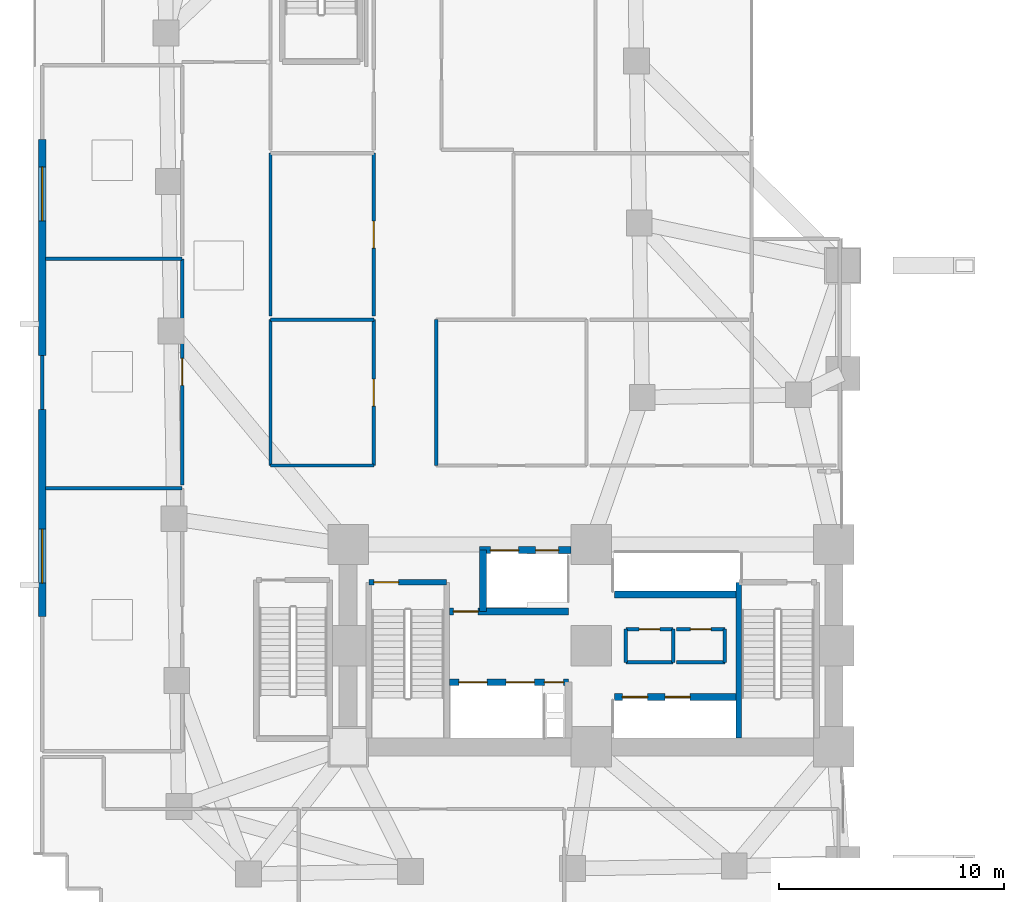
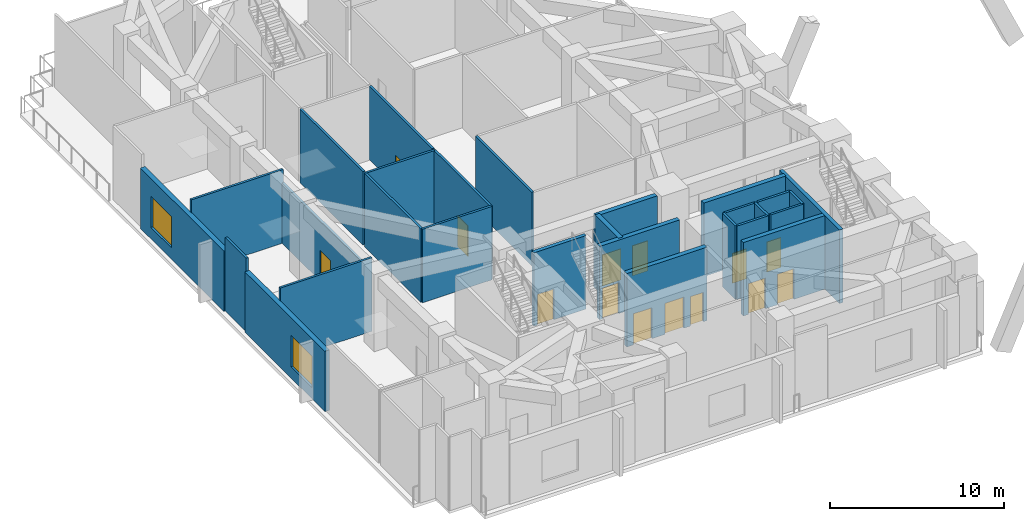
# One storey, part 8 of 18: 28 walls, 14 doors, 2 windows, 16 openings.
"""IFC4 building model written with IfcOpenShell, lengths in metres."""

import ifcopenshell
import ifcopenshell.guid

model = None  # the IFC model being written
_history = None  # IfcOwnerHistory: only IFC2X3 demands one
_inside = {}  # id of a spatial element -> (the spatial element, [elements in it])
_under = {}  # id of a project, library or spatial element -> (it, [spatial elements below it])
_declared = {}  # id of a project -> (the project, [libraries it declares])
_typed = {}  # id of a type object -> (the type object, [elements of that type])
_made_of = {}  # id of a material, layer set ... -> (it, [elements and type objects made of it])


def new_model(schema):
    """Start an empty IFC model of exactly this schema.

    Asked for "IFC4X3", IfcOpenShell would pick the latest addendum, in which some entities
    have other attributes; the version numbers below select the first issue.
    IFC2X3 requires an IfcOwnerHistory on every rooted entity: one is made here for all.
    """
    global model, _history
    if schema == "IFC4X3":
        model = ifcopenshell.file(schema_version=(4, 3, 0, 0))
    else:
        model = ifcopenshell.file(schema=schema)
    _inside.clear()
    _under.clear()
    _declared.clear()
    _typed.clear()
    _made_of.clear()
    _history = None
    if model.schema == "IFC2X3":
        org = make("IfcOrganization", Name="unknown")
        user = make(
            "IfcPersonAndOrganization",
            ThePerson=make("IfcPerson", FamilyName="unknown"),
            TheOrganization=org,
        )
        app = make(
            "IfcApplication",
            ApplicationDeveloper=org,
            Version="unknown",
            ApplicationFullName="unknown",
            ApplicationIdentifier="unknown",
        )
        _history = make(
            "IfcOwnerHistory",
            OwningUser=user,
            OwningApplication=app,
            ChangeAction="ADDED",
            CreationDate=0,
        )
    return model


def make(cls, **values):
    """One entity of the class cls with the attributes given. An attribute that is None is left unset."""
    return model.create_entity(
        cls, **{name: value for name, value in values.items() if value is not None}
    )


def rooted(cls, **values):
    """An entity with a GlobalId (a new one), such as an element, a storey or a relation."""
    return make(cls, GlobalId=ifcopenshell.guid.new(), OwnerHistory=_history, **values)


def si_unit(unit_type, name, prefix=None):
    """IfcSIUnit, for example si_unit("LENGTHUNIT", "METRE", prefix="MILLI")."""
    return make("IfcSIUnit", UnitType=unit_type, Prefix=prefix, Name=name)


def assignment(units):
    """IfcUnitAssignment: the units of a project."""
    return None if units is None else make("IfcUnitAssignment", Units=units)


def point(xyz):
    """IfcCartesianPoint."""
    return None if xyz is None else make("IfcCartesianPoint", Coordinates=xyz)


def direction(xyz):
    """IfcDirection."""
    return None if xyz is None else make("IfcDirection", DirectionRatios=xyz)


def frame(location, z_axis=None, x_axis=None):
    """IfcAxis2Placement3D, a coordinate frame: its origin and axes. An axis left out is left unset."""
    return make(
        "IfcAxis2Placement3D",
        Location=point(location),
        Axis=direction(z_axis),
        RefDirection=direction(x_axis),
    )


def frame_2d(location, x_axis=None):
    """IfcAxis2Placement2D, a coordinate frame in the plane: its origin and x axis."""
    return make(
        "IfcAxis2Placement2D", Location=point(location), RefDirection=direction(x_axis)
    )


def origin():
    """The frame at (0, 0, 0) with its axes left unset."""
    return frame((0.0, 0.0, 0.0))


def place(relative_to, where):
    """IfcLocalPlacement: puts the frame where relative to a parent placement (None: the world)."""
    return make(
        "IfcLocalPlacement", PlacementRelTo=relative_to, RelativePlacement=where
    )


def context(
    kind, dimensions, precision=None, world=None, true_north=None, identifier=None
):
    """IfcGeometricRepresentationContext, for example the 3D "Model" context."""
    return make(
        "IfcGeometricRepresentationContext",
        ContextIdentifier=identifier,
        ContextType=kind,
        CoordinateSpaceDimension=dimensions,
        Precision=precision,
        WorldCoordinateSystem=world,
        TrueNorth=true_north,
    )


def subcontext(parent, identifier, kind, view, scale=None):
    """IfcGeometricRepresentationSubContext, for example "Body" below "Model"."""
    return make(
        "IfcGeometricRepresentationSubContext",
        ContextIdentifier=identifier,
        ContextType=kind,
        ParentContext=parent,
        TargetScale=scale,
        TargetView=view,
    )


def project(units=None, contexts=None):
    """IfcProject with its units and contexts."""
    return rooted(
        "IfcProject",
        Name="project",
        RepresentationContexts=contexts,
        UnitsInContext=assignment(units),
    )


def spatial(cls, under=None, at=None, **own):
    """A site, building, storey or space (cls), placed at a placement, below another one or the project."""
    s = rooted(cls, ObjectPlacement=at, **own)
    if under is not None:
        _under.setdefault(under.id(), (under, []))[1].append(s)
    return s


def profile(cls, at=None, kind="AREA", **sizes):
    """A parametric profile (cls). Its sizes go by their IFC names, for example OverallWidth=200.0."""
    return make(cls, ProfileType=kind, Position=at, **sizes)


def rectangle(**sizes):
    """IfcRectangleProfileDef."""
    return profile("IfcRectangleProfileDef", **sizes)


def extrude(swept, where, along, depth):
    """IfcExtrudedAreaSolid: the profile swept, set in the frame where, extruded along a direction by depth."""
    return make(
        "IfcExtrudedAreaSolid",
        SweptArea=swept,
        Position=where,
        ExtrudedDirection=direction(along),
        Depth=depth,
    )


def shape(context_of_items, identifier, shape_type, items):
    """IfcShapeRepresentation: the items that make up one representation, for example the "Body"."""
    return make(
        "IfcShapeRepresentation",
        ContextOfItems=context_of_items,
        RepresentationIdentifier=identifier,
        RepresentationType=shape_type,
        Items=items,
    )


def material(Name=None, Category=None):
    """IfcMaterial."""
    return make("IfcMaterial", Name=Name, Category=Category)


def layer(
    of_material, thickness, ventilated=None, Name=None, Category=None, Priority=None
):
    """IfcMaterialLayer: one layer of a wall or slab, of a material (None: an air gap)."""
    return make(
        "IfcMaterialLayer",
        Material=of_material,
        LayerThickness=thickness,
        IsVentilated=ventilated,
        Name=Name,
        Category=Category,
        Priority=Priority,
    )


def layer_set(layers, Name=None):
    """IfcMaterialLayerSet."""
    return make("IfcMaterialLayerSet", MaterialLayers=layers, LayerSetName=Name)


def made_of(thing, what):
    """Note that an element or type object is made of a material, layer set ...; save() writes the relation."""
    if what is not None:
        _made_of.setdefault(what.id(), (what, []))[1].append(thing)
    return thing


def type_object(cls, material=None, **own):
    """A type object (cls), such as IfcWallType, which elements share."""
    return made_of(rooted(cls, **own), material)


def element(
    cls,
    number,
    at=None,
    inside=None,
    cuts=None,
    type_object=None,
    material=None,
    context=None,
    identifier="Body",
    shape_type=None,
    held_by="IfcProductDefinitionShape",
    body=None,
    shapes=None,
    **own,
):
    """One element of the class cls, such as IfcWall. Its Tag is "e" and its number.

    at: its placement. inside: the storey or other place that contains it. cuts: it is an
    opening in that element (IfcRelVoidsElement). A single representation is given by context,
    identifier, shape_type and body (its items); several are given by shapes. held_by: the class
    of the entity that holds the representations. save() writes the other relations.
    """
    e = rooted(cls, Tag="e%d" % number, ObjectPlacement=at, **own)
    if body is not None:
        shapes = [shape(context, identifier, shape_type, body)]
    if shapes is not None:
        e.Representation = make(held_by, Representations=shapes)
    if inside is not None:
        _inside.setdefault(inside.id(), (inside, []))[1].append(e)
    if cuts is not None:
        rooted(
            "IfcRelVoidsElement", RelatingBuildingElement=cuts, RelatedOpeningElement=e
        )
    if type_object is not None:
        _typed.setdefault(type_object.id(), (type_object, []))[1].append(e)
    return made_of(e, material)


def fill(opening, filler):
    """IfcRelFillsElement: the door or window that sits in an opening."""
    return rooted(
        "IfcRelFillsElement",
        RelatingOpeningElement=opening,
        RelatedBuildingElement=filler,
    )


def aggregate(whole, parts):
    """IfcRelAggregates: a whole, such as a stair, and the parts it consists of."""
    return rooted("IfcRelAggregates", RelatingObject=whole, RelatedObjects=parts)


def save(model, path):
    """Write the relations noted so far, then the file.

    IfcRelAggregates (storeys below a building ...), IfcRelContainedInSpatialStructure (elements
    in a storey), IfcRelDefinesByType, IfcRelAssociatesMaterial and IfcRelDeclares: one each for
    every whole, place, type object, material and project.
    """
    for whole, parts in _under.values():
        aggregate(whole, parts)
    for where, things in _inside.values():
        rooted(
            "IfcRelContainedInSpatialStructure",
            RelatedElements=things,
            RelatingStructure=where,
        )
    for kind, things in _typed.values():
        rooted("IfcRelDefinesByType", RelatedObjects=things, RelatingType=kind)
    for what, things in _made_of.values():
        rooted("IfcRelAssociatesMaterial", RelatedObjects=things, RelatingMaterial=what)
    for by, libraries in _declared.values():
        rooted("IfcRelDeclares", RelatingContext=by, RelatedDefinitions=libraries)
    model.write(path)


model = new_model("IFC4")

# Units and contexts
model_context = context("Model", 3, precision=1e-05, world=origin(), true_north=direction((0.0, 1.0)))
body_context = subcontext(model_context, "Body", "Model", "MODEL_VIEW")
ifc_project = project(units=[si_unit("LENGTHUNIT", "METRE"), si_unit("AREAUNIT", "SQUARE_METRE"), si_unit("VOLUMEUNIT", "CUBIC_METRE"), si_unit("PLANEANGLEUNIT", "RADIAN"), si_unit("MASSUNIT", "GRAM", prefix="KILO")], contexts=[model_context])

# Site, building, storey
site_placement = place(None, origin())
site = spatial("IfcSite", under=ifc_project, at=site_placement, CompositionType="ELEMENT")
building_placement = place(site_placement, origin())
building = spatial("IfcBuilding", under=site, at=building_placement, Name="Gaonmaruhae Medical Tower", CompositionType="ELEMENT")
storey_placement = place(building_placement, frame((0.0, 0.0, 16.199951171875)))
storey = spatial("IfcBuildingStorey", under=building, at=storey_placement, Name="L03", CompositionType="ELEMENT", Elevation=16.199951171875)

# Wall, opening, window
ifc_material_1 = material(Name="Precast concrete C45/55", Category="concrete")
ifc_layer_1 = layer(ifc_material_1, 0.320068359375)
ifc_layer_set_1 = layer_set([ifc_layer_1], Name="Precast concrete C45/55")
wall_type_1 = type_object("IfcWallType", Name="EW-320 Lower Precast Masonry-Frame Facade Wall", PredefinedType="SOLIDWALL", material=ifc_layer_set_1)
wall_1_placement = place(storey_placement, frame((0.39990234375, 13.60009765625, 0.0), z_axis=(0.0, 0.0, 1.0), x_axis=(0.0, 1.0, 0.0)))
wall_1 = element("IfcWall", 1, at=wall_1_placement, inside=storey, type_object=wall_type_1, Name="L03 Precast Facade Wall PB-W1", PredefinedType="SOLIDWALL", context=body_context, shape_type="SweptSolid", body=[
    extrude(rectangle(XDim=9.199951171875, YDim=0.320068359375, at=frame_2d((4.60009765625, 0.0))), origin(), (0.0, 0.0, 1.0), 4.22998046875),
])
opening_1_placement = place(wall_1_placement, frame((1.485107421875, 0.0, 0.800048828125)))
opening_1 = element("IfcOpeningElement", 2, at=opening_1_placement, cuts=wall_1, Name="Opening WN-06", PredefinedType="OPENING", context=body_context, shape_type="SweptSolid", body=[
    extrude(rectangle(XDim=2.39990234375, YDim=2.199951171875, at=frame_2d((1.199951171875, 1.10009765625))), frame((0.0, 0.169921875, 0.0), z_axis=(0.0, -1.0, 0.0), x_axis=(1.0, 0.0, 0.0)), (0.0, 0.0, 1.0), 0.340087890625),
])
ifc_material_2 = material(Name="Anodised aluminium and Low-E double glazing", Category="aluminium")
window_type = type_object("IfcWindowType", Name="WN-06 Podium Diagnostic Punched Window 2400x2200", PartitioningType="SINGLE_PANEL", PredefinedType="WINDOW", material=ifc_material_2)
window_1_placement = place(opening_1_placement, origin())
window_1 = element("IfcWindow", 3, at=window_1_placement, inside=storey, type_object=window_type, Name="L03 Podium Punched Window PB-W1", OverallHeight=2.199951171875, OverallWidth=2.39990234375, PartitioningType="SINGLE_PANEL", PredefinedType="WINDOW", context=body_context, shape_type="SweptSolid", body=[
    extrude(rectangle(XDim=2.39990234375, YDim=2.199951171875, at=frame_2d((1.199951171875, 1.10009765625))), frame((0.0, 0.030029296875, 0.0), z_axis=(0.0, -1.0, 0.0), x_axis=(1.0, 0.0, 0.0)), (0.0, 0.0, 1.0), 0.06005859375),
])
fill(opening_1, window_1)

wall_2_placement = place(storey_placement, frame((0.39990234375, 25.199951171875, 0.0), z_axis=(0.0, 0.0, 1.0), x_axis=(0.0, 1.0, 0.0)))
wall_2 = element("IfcWall", 4, at=wall_2_placement, inside=storey, type_object=wall_type_1, Name="L03 Precast Facade Wall PB-W2", PredefinedType="SOLIDWALL", context=body_context, shape_type="SweptSolid", body=[
    extrude(rectangle(XDim=9.60009765625, YDim=0.320068359375, at=frame_2d((4.800048828125, 0.0))), origin(), (0.0, 0.0, 1.0), 4.22998046875),
])
opening_2_placement = place(wall_2_placement, frame((5.989990234375, 0.0, 0.800048828125)))
opening_2 = element("IfcOpeningElement", 5, at=opening_2_placement, cuts=wall_2, Name="Opening WN-06", PredefinedType="OPENING", context=body_context, shape_type="SweptSolid", body=[
    extrude(rectangle(XDim=2.39990234375, YDim=2.199951171875, at=frame_2d((1.199951171875, 1.10009765625))), frame((0.0, 0.169921875, 0.0), z_axis=(0.0, -1.0, 0.0), x_axis=(1.0, 0.0, 0.0)), (0.0, 0.0, 1.0), 0.340087890625),
])
window_2_placement = place(opening_2_placement, origin())
window_2 = element("IfcWindow", 6, at=window_2_placement, inside=storey, type_object=window_type, Name="L03 Podium Punched Window PB-W2", OverallHeight=2.199951171875, OverallWidth=2.39990234375, PartitioningType="SINGLE_PANEL", PredefinedType="WINDOW", context=body_context, shape_type="SweptSolid", body=[
    extrude(rectangle(XDim=2.39990234375, YDim=2.199951171875, at=frame_2d((1.199951171875, 1.10009765625))), frame((0.0, 0.030029296875, 0.0), z_axis=(0.0, -1.0, 0.0), x_axis=(1.0, 0.0, 0.0)), (0.0, 0.0, 1.0), 0.06005859375),
])
fill(opening_2, window_2)

# Wall
ifc_material_3 = material(Name="Gypsum board partition", Category="gypsum")
ifc_layer_2 = layer(ifc_material_3, 0.14990234375)
ifc_layer_set_2 = layer_set([ifc_layer_2], Name="Gypsum board partition")
wall_type_2 = type_object("IfcWallType", Name="PW-150 Rated Clinical Corridor Partition", PredefinedType="PARTITIONING", material=ifc_layer_set_2)
wall_3_placement = place(storey_placement, frame((26.35009765625, 11.56005859375, 0.0), z_axis=(0.0, 0.0, 1.0), x_axis=(0.0, 1.0, 0.0)))
element("IfcWall", 7, at=wall_3_placement, inside=storey, type_object=wall_type_2, Name="L03 Interior Partition L03-CS1-1", PredefinedType="PARTITIONING", context=body_context, shape_type="SweptSolid", body=[
    extrude(rectangle(XDim=1.47998046875, YDim=0.14990234375, at=frame_2d((0.739990234375, 0.0))), origin(), (0.0, 0.0, 1.0), 5.150146484375),
])

# Wall, opening, door
wall_4_placement = place(storey_placement, frame((26.35009765625, 13.0400390625, 0.0), z_axis=(0.0, 0.0, 1.0), x_axis=(1.0, 0.0, 0.0)))
wall_4 = element("IfcWall", 8, at=wall_4_placement, inside=storey, type_object=wall_type_2, Name="L03 Interior Partition L03-CS1-2", PredefinedType="PARTITIONING", context=body_context, shape_type="SweptSolid", body=[
    extrude(rectangle(XDim=2.099853515625, YDim=0.14990234375, at=frame_2d((1.0498046875, 0.0))), origin(), (0.0, 0.0, 1.0), 5.150146484375),
])
opening_3_placement = place(wall_4_placement, frame((0.590087890625, 0.0, 0.0)))
opening_3 = element("IfcOpeningElement", 9, at=opening_3_placement, cuts=wall_4, Name="Opening UD-01", PredefinedType="OPENING", context=body_context, shape_type="SweptSolid", body=[
    extrude(rectangle(XDim=0.919921875, YDim=2.10009765625, at=frame_2d((0.4599609375, 1.050048828125))), frame((0.0, 0.0849609375, 0.0), z_axis=(0.0, -1.0, 0.0), x_axis=(1.0, 0.0, 0.0)), (0.0, 0.0, 1.0), 0.169921875),
])
ifc_material_4 = material(Name="Powder-coated steel utility door", Category="steel")
door_type_1 = type_object("IfcDoorType", Name="UD-01 Toilet, Utility & Housekeeping Door 920x2100", OperationType="NOTDEFINED", PredefinedType="DOOR", material=ifc_material_4)
door_1_placement = place(opening_3_placement, origin())
door_1 = element("IfcDoor", 10, at=door_1_placement, inside=storey, type_object=door_type_1, Name="L03 Accessible Staff Toilet Door", OperationType="SINGLE_SWING_RIGHT", OverallHeight=2.10009765625, OverallWidth=0.919921875, PredefinedType="DOOR", context=body_context, shape_type="SweptSolid", body=[
    extrude(rectangle(XDim=0.919921875, YDim=2.10009765625, at=frame_2d((0.4599609375, 1.050048828125))), frame((0.0, 0.02490234375, 0.0), z_axis=(0.0, -1.0, 0.0), x_axis=(1.0, 0.0, 0.0)), (0.0, 0.0, 1.0), 0.050048828125),
])
fill(opening_3, door_1)

# Walls
wall_5_placement = place(storey_placement, frame((28.449951171875, 13.0400390625, 0.0), z_axis=(0.0, 0.0, 1.0), x_axis=(0.0, -1.0, 0.0)))
element("IfcWall", 11, at=wall_5_placement, inside=storey, type_object=wall_type_2, Name="L03 Interior Partition L03-CS1-3", PredefinedType="PARTITIONING", context=body_context, shape_type="SweptSolid", body=[
    extrude(rectangle(XDim=1.47998046875, YDim=0.14990234375, at=frame_2d((0.739990234375, 0.0))), origin(), (0.0, 0.0, 1.0), 5.150146484375),
])
wall_6_placement = place(storey_placement, frame((28.449951171875, 11.56005859375, 0.0), z_axis=(0.0, 0.0, 1.0), x_axis=(-1.0, 0.0, 0.0)))
element("IfcWall", 12, at=wall_6_placement, inside=storey, type_object=wall_type_2, Name="L03 Interior Partition L03-CS1-4", PredefinedType="PARTITIONING", context=body_context, shape_type="SweptSolid", body=[
    extrude(rectangle(XDim=2.099853515625, YDim=0.14990234375, at=frame_2d((1.0498046875, 0.0))), origin(), (0.0, 0.0, 1.0), 5.150146484375),
])

# Wall, opening, door
wall_7_placement = place(storey_placement, frame((28.60009765625, 13.0400390625, 0.0), z_axis=(0.0, 0.0, 1.0), x_axis=(1.0, 0.0, 0.0)))
wall_7 = element("IfcWall", 13, at=wall_7_placement, inside=storey, type_object=wall_type_2, Name="L03 Interior Partition L03-CS2-5", PredefinedType="PARTITIONING", context=body_context, shape_type="SweptSolid", body=[
    extrude(rectangle(XDim=2.14990234375, YDim=0.14990234375, at=frame_2d((1.074951171875, 0.0))), origin(), (0.0, 0.0, 1.0), 5.150146484375),
])
opening_4_placement = place(wall_7_placement, frame((0.614990234375, 0.0, 0.0)))
opening_4 = element("IfcOpeningElement", 14, at=opening_4_placement, cuts=wall_7, Name="Opening UD-01", PredefinedType="OPENING", context=body_context, shape_type="SweptSolid", body=[
    extrude(rectangle(XDim=0.919921875, YDim=2.10009765625, at=frame_2d((0.4599609375, 1.050048828125))), frame((0.0, 0.0849609375, 0.0), z_axis=(0.0, -1.0, 0.0), x_axis=(1.0, 0.0, 0.0)), (0.0, 0.0, 1.0), 0.169921875),
])
door_2_placement = place(opening_4_placement, origin())
door_2 = element("IfcDoor", 15, at=door_2_placement, inside=storey, type_object=door_type_1, Name="L03 Biomedical Telemetry Closet Door", OperationType="SINGLE_SWING_RIGHT", OverallHeight=2.10009765625, OverallWidth=0.919921875, PredefinedType="DOOR", context=body_context, shape_type="SweptSolid", body=[
    extrude(rectangle(XDim=0.919921875, YDim=2.10009765625, at=frame_2d((0.4599609375, 1.050048828125))), frame((0.0, 0.02490234375, 0.0), z_axis=(0.0, -1.0, 0.0), x_axis=(1.0, 0.0, 0.0)), (0.0, 0.0, 1.0), 0.050048828125),
])
fill(opening_4, door_2)

# Walls
wall_8_placement = place(storey_placement, frame((30.75, 13.0400390625, 0.0), z_axis=(0.0, 0.0, 1.0), x_axis=(0.0, -1.0, 0.0)))
element("IfcWall", 16, at=wall_8_placement, inside=storey, type_object=wall_type_2, Name="L03 Interior Partition L03-CS2-6", PredefinedType="PARTITIONING", context=body_context, shape_type="SweptSolid", body=[
    extrude(rectangle(XDim=1.47998046875, YDim=0.14990234375, at=frame_2d((0.739990234375, 0.0))), origin(), (0.0, 0.0, 1.0), 5.150146484375),
])
wall_9_placement = place(storey_placement, frame((30.75, 11.56005859375, 0.0), z_axis=(0.0, 0.0, 1.0), x_axis=(-1.0, 0.0, 0.0)))
element("IfcWall", 17, at=wall_9_placement, inside=storey, type_object=wall_type_2, Name="L03 Interior Partition L03-CS2-7", PredefinedType="PARTITIONING", context=body_context, shape_type="SweptSolid", body=[
    extrude(rectangle(XDim=2.14990234375, YDim=0.14990234375, at=frame_2d((1.074951171875, 0.0))), origin(), (0.0, 0.0, 1.0), 5.150146484375),
])
for number, where, z_axis, x_axis, name in (
    (18, (0.534912109375, 19.300048828125, 0.0), (0.0, 0.0, 1.0), (1.0, 0.0, 0.0), "L03 Interior Partition L03-WP1-8"),
    (19, (0.534912109375, 29.5, 0.0), (0.0, 0.0, 1.0), (1.0, 0.0, 0.0), "L03 Interior Partition L03-WP2-12"),
):
    element("IfcWall", number, at=place(storey_placement, frame(where, z_axis=z_axis, x_axis=x_axis)), inside=storey, type_object=wall_type_2, Name=name, PredefinedType="PARTITIONING", context=body_context, shape_type="SweptSolid", body=[
        extrude(rectangle(XDim=6.085205078125, YDim=0.14990234375, at=frame_2d((3.04248046875, 0.0))), origin(), (0.0, 0.0, 1.0), 5.150146484375),
    ])

# Wall, opening, door
wall_10_placement = place(storey_placement, frame((6.6201171875, 29.5, 0.0), z_axis=(0.0, 0.0, 1.0), x_axis=(0.0, -1.0, 0.0)))
wall_10 = element("IfcWall", 20, at=wall_10_placement, inside=storey, type_object=wall_type_2, Name="L03 Interior Partition L03-WP2-13", PredefinedType="PARTITIONING", context=body_context, shape_type="SweptSolid", body=[
    extrude(rectangle(XDim=10.050048828125, YDim=0.14990234375, at=frame_2d((5.02490234375, 0.0))), origin(), (0.0, 0.0, 1.0), 4.235107421875),
])
opening_5_placement = place(wall_10_placement, frame((4.425048828125, 0.0, 0.0)))
opening_5 = element("IfcOpeningElement", 21, at=opening_5_placement, cuts=wall_10, Name="Opening CD-02", PredefinedType="OPENING", context=body_context, shape_type="SweptSolid", body=[
    extrude(rectangle(XDim=1.199951171875, YDim=2.14990234375, at=frame_2d((0.60009765625, 1.074951171875))), frame((0.0, 0.0849609375, 0.0), z_axis=(0.0, -1.0, 0.0), x_axis=(1.0, 0.0, 0.0)), (0.0, 0.0, 1.0), 0.169921875),
])
ifc_material_5 = material(Name="Antimicrobial laminate timber fire door", Category="wood")
door_type_2 = type_object("IfcDoorType", Name="CD-02 Clinical Treatment & Procedure Door 1200x2150", OperationType="NOTDEFINED", PredefinedType="DOOR", material=ifc_material_5)
door_3_placement = place(opening_5_placement, origin())
door_3 = element("IfcDoor", 22, at=door_3_placement, inside=storey, type_object=door_type_2, Name="L03 L03 Outpatient Consultation Clinic B Door", OperationType="SINGLE_SWING_RIGHT", OverallHeight=2.14990234375, OverallWidth=1.199951171875, PredefinedType="DOOR", context=body_context, shape_type="SweptSolid", body=[
    extrude(rectangle(XDim=1.199951171875, YDim=2.14990234375, at=frame_2d((0.60009765625, 1.074951171875))), frame((0.0, 0.02490234375, 0.0), z_axis=(0.0, -1.0, 0.0), x_axis=(1.0, 0.0, 0.0)), (0.0, 0.0, 1.0), 0.050048828125),
])
fill(opening_5, door_3)

# Walls
wall_11_placement = place(storey_placement, frame((0.39990234375, 22.800048828125, 0.0), z_axis=(0.0, 0.0, 1.0), x_axis=(0.0, 1.0, 0.0)))
element("IfcWall", 23, at=wall_11_placement, inside=storey, type_object=wall_type_2, Name="L03 Interior Partition L03-WP2-14", PredefinedType="PARTITIONING", context=body_context, shape_type="SweptSolid", body=[
    extrude(rectangle(XDim=2.39990234375, YDim=0.14990234375, at=frame_2d((1.199951171875, 0.0))), origin(), (0.0, 0.0, 1.0), 5.150146484375),
])
wall_12_placement = place(storey_placement, frame((10.550048828125, 20.31005859375, 0.0), z_axis=(0.0, 0.0, 1.0), x_axis=(0.0, 1.0, 0.0)))
element("IfcWall", 24, at=wall_12_placement, inside=storey, type_object=wall_type_2, Name="L03 Interior Partition L03-S4-57", PredefinedType="PARTITIONING", context=body_context, shape_type="SweptSolid", body=[
    extrude(rectangle(XDim=6.489990234375, YDim=0.14990234375, at=frame_2d((3.2451171875, 0.0))), origin(), (0.0, 0.0, 1.0), 5.150146484375),
])
wall_13_placement = place(storey_placement, frame((10.550048828125, 26.800048828125, 0.0), z_axis=(0.0, 0.0, 1.0), x_axis=(1.0, 0.0, 0.0)))
element("IfcWall", 25, at=wall_13_placement, inside=storey, type_object=wall_type_2, Name="L03 Interior Partition L03-S4-58", PredefinedType="PARTITIONING", context=body_context, shape_type="SweptSolid", body=[
    extrude(rectangle(XDim=4.58984375, YDim=0.14990234375, at=frame_2d((2.294921875, 0.0))), origin(), (0.0, 0.0, 1.0), 5.150146484375),
])

# Wall, opening, door
wall_14_placement = place(storey_placement, frame((15.139892578125, 26.800048828125, 0.0), z_axis=(0.0, 0.0, 1.0), x_axis=(0.0, -1.0, 0.0)))
wall_14 = element("IfcWall", 26, at=wall_14_placement, inside=storey, type_object=wall_type_2, Name="L03 Interior Partition L03-S4-59", PredefinedType="PARTITIONING", context=body_context, shape_type="SweptSolid", body=[
    extrude(rectangle(XDim=6.489990234375, YDim=0.14990234375, at=frame_2d((3.2451171875, 0.0))), origin(), (0.0, 0.0, 1.0), 5.150146484375),
])
opening_6_placement = place(wall_14_placement, frame((2.64501953125, 0.0, 0.0)))
opening_6 = element("IfcOpeningElement", 27, at=opening_6_placement, cuts=wall_14, Name="Opening CD-02", PredefinedType="OPENING", context=body_context, shape_type="SweptSolid", body=[
    extrude(rectangle(XDim=1.199951171875, YDim=2.14990234375, at=frame_2d((0.60009765625, 1.074951171875))), frame((0.0, 0.0849609375, 0.0), z_axis=(0.0, -1.0, 0.0), x_axis=(1.0, 0.0, 0.0)), (0.0, 0.0, 1.0), 0.169921875),
])
door_4_placement = place(opening_6_placement, origin())
door_4 = element("IfcDoor", 28, at=door_4_placement, inside=storey, type_object=door_type_2, Name="L03 Surgical Intensive Care Ward Door", OperationType="SINGLE_SWING_LEFT", OverallHeight=2.14990234375, OverallWidth=1.199951171875, PredefinedType="DOOR", context=body_context, shape_type="SweptSolid", body=[
    extrude(rectangle(XDim=1.199951171875, YDim=2.14990234375, at=frame_2d((0.60009765625, 1.074951171875))), frame((0.0, 0.02490234375, 0.0), z_axis=(0.0, -1.0, 0.0), x_axis=(1.0, 0.0, 0.0)), (0.0, 0.0, 1.0), 0.050048828125),
])
fill(opening_6, door_4)

# Walls
wall_15_placement = place(storey_placement, frame((15.139892578125, 20.31005859375, 0.0), z_axis=(0.0, 0.0, 1.0), x_axis=(-1.0, 0.0, 0.0)))
element("IfcWall", 29, at=wall_15_placement, inside=storey, type_object=wall_type_2, Name="L03 Interior Partition L03-S4-60", PredefinedType="PARTITIONING", context=body_context, shape_type="SweptSolid", body=[
    extrude(rectangle(XDim=4.58984375, YDim=0.14990234375, at=frame_2d((2.294921875, 0.0))), origin(), (0.0, 0.0, 1.0), 5.150146484375),
])
wall_16_placement = place(storey_placement, frame((17.909912109375, 20.31005859375, 0.0), z_axis=(0.0, 0.0, 1.0), x_axis=(0.0, 1.0, 0.0)))
element("IfcWall", 30, at=wall_16_placement, inside=storey, type_object=wall_type_2, Name="L03 Interior Partition L03-S5-64", PredefinedType="PARTITIONING", context=body_context, shape_type="SweptSolid", body=[
    extrude(rectangle(XDim=6.489990234375, YDim=0.14990234375, at=frame_2d((3.2451171875, 0.0))), origin(), (0.0, 0.0, 1.0), 5.150146484375),
])
wall_17_placement = place(storey_placement, frame((10.550048828125, 26.949951171875, 0.0), z_axis=(0.0, 0.0, 1.0), x_axis=(0.0, 1.0, 0.0)))
element("IfcWall", 31, at=wall_17_placement, inside=storey, type_object=wall_type_2, Name="L03 Interior Partition L03-S7-67", PredefinedType="PARTITIONING", context=body_context, shape_type="SweptSolid", body=[
    extrude(rectangle(XDim=7.25, YDim=0.14990234375, at=frame_2d((3.625, 0.0))), origin(), (0.0, 0.0, 1.0), 5.150146484375),
])

# Wall, opening, door
wall_18_placement = place(storey_placement, frame((15.139892578125, 34.199951171875, 0.0), z_axis=(0.0, 0.0, 1.0), x_axis=(0.0, -1.0, 0.0)))
wall_18 = element("IfcWall", 32, at=wall_18_placement, inside=storey, type_object=wall_type_2, Name="L03 Interior Partition L03-S7-69", PredefinedType="PARTITIONING", context=body_context, shape_type="SweptSolid", body=[
    extrude(rectangle(XDim=7.25, YDim=0.14990234375, at=frame_2d((3.625, 0.0))), origin(), (0.0, 0.0, 1.0), 5.150146484375),
])
opening_7_placement = place(wall_18_placement, frame((3.02490234375, 0.0, 0.0)))
opening_7 = element("IfcOpeningElement", 33, at=opening_7_placement, cuts=wall_18, Name="Opening CD-02", PredefinedType="OPENING", context=body_context, shape_type="SweptSolid", body=[
    extrude(rectangle(XDim=1.199951171875, YDim=2.14990234375, at=frame_2d((0.60009765625, 1.074951171875))), frame((0.0, 0.0849609375, 0.0), z_axis=(0.0, -1.0, 0.0), x_axis=(1.0, 0.0, 0.0)), (0.0, 0.0, 1.0), 0.169921875),
])
door_5_placement = place(opening_7_placement, origin())
door_5 = element("IfcDoor", 34, at=door_5_placement, inside=storey, type_object=door_type_2, Name="L03 Post-Anaesthesia Recovery Ward Door", OperationType="SINGLE_SWING_RIGHT", OverallHeight=2.14990234375, OverallWidth=1.199951171875, PredefinedType="DOOR", context=body_context, shape_type="SweptSolid", body=[
    extrude(rectangle(XDim=1.199951171875, YDim=2.14990234375, at=frame_2d((0.60009765625, 1.074951171875))), frame((0.0, 0.02490234375, 0.0), z_axis=(0.0, -1.0, 0.0), x_axis=(1.0, 0.0, 0.0)), (0.0, 0.0, 1.0), 0.050048828125),
])
fill(opening_7, door_5)

ifc_material_6 = material(Name="Concrete C50/60", Category="concrete")
ifc_layer_3 = layer(ifc_material_6, 0.239990234375)
ifc_layer_set_3 = layer_set([ifc_layer_3], Name="Concrete C50/60")
wall_type_3 = type_object("IfcWallType", Name="SW-240 Dogleg Stair Tight Shaft Wall", PredefinedType="SOLIDWALL", material=ifc_layer_set_3)
wall_19_placement = place(storey_placement, frame((14.919921875, 15.1201171875, 0.0), z_axis=(0.0, 0.0, 1.0), x_axis=(1.0, 0.0, 0.0)))
wall_19 = element("IfcWall", 35, at=wall_19_placement, inside=storey, type_object=wall_type_3, Name="L03 ST-01 Stair Shaft Wall SHW-ST-01-N", PredefinedType="SOLIDWALL", context=body_context, shape_type="SweptSolid", body=[
    extrude(rectangle(XDim=3.4599609375, YDim=0.239990234375, at=frame_2d((1.72998046875, 0.0))), origin(), (0.0, 0.0, 1.0), 5.150146484375),
])
opening_8_placement = place(wall_19_placement, frame((0.219970703125, 0.0, 0.0)))
opening_8 = element("IfcOpeningElement", 36, at=opening_8_placement, cuts=wall_19, Name="Opening FD-01", PredefinedType="OPENING", context=body_context, shape_type="SweptSolid", body=[
    extrude(rectangle(XDim=1.10009765625, YDim=2.14990234375, at=frame_2d((0.550048828125, 1.074951171875))), frame((0.0, 0.1298828125, 0.0), z_axis=(0.0, -1.0, 0.0), x_axis=(1.0, 0.0, 0.0)), (0.0, 0.0, 1.0), 0.260009765625),
])
ifc_material_7 = material(Name="Powder-coated steel fire door", Category="steel")
door_type_3 = type_object("IfcDoorType", Name="FD-01 Escape Stair Protected Fire Door 1100x2150", OperationType="NOTDEFINED", PredefinedType="DOOR", material=ifc_material_7)
door_6_placement = place(opening_8_placement, origin())
door_6 = element("IfcDoor", 37, at=door_6_placement, inside=storey, type_object=door_type_3, Name="L03 ST-01 Protected Escape Stair Door", OperationType="SINGLE_SWING_RIGHT", OverallHeight=2.14990234375, OverallWidth=1.10009765625, PredefinedType="DOOR", context=body_context, shape_type="SweptSolid", body=[
    extrude(rectangle(XDim=1.10009765625, YDim=2.14990234375, at=frame_2d((0.550048828125, 1.074951171875))), frame((0.0, 0.02490234375, 0.0), z_axis=(0.0, -1.0, 0.0), x_axis=(1.0, 0.0, 0.0)), (0.0, 0.0, 1.0), 0.050048828125),
])
fill(opening_8, door_6)

# Wall
wall_20_placement = place(storey_placement, frame((31.3701171875, 8.199951171875, 0.0), z_axis=(0.0, 0.0, 1.0), x_axis=(0.0, 1.0, 0.0)))
element("IfcWall", 38, at=wall_20_placement, inside=storey, type_object=wall_type_3, Name="L03 ST-02 Stair Shaft Wall SHW-ST-02-W", PredefinedType="SOLIDWALL", context=body_context, shape_type="SweptSolid", body=[
    extrude(rectangle(XDim=6.920166015625, YDim=0.239990234375, at=frame_2d((3.4599609375, 0.0))), origin(), (0.0, 0.0, 1.0), 5.150146484375),
])

# Wall, openings, doors
ifc_layer_4 = layer(ifc_material_6, 0.300048828125)
ifc_layer_set_4 = layer_set([ifc_layer_4], Name="Concrete C50/60")
wall_type_4 = type_object("IfcWallType", Name="SW-300 Stair & Lift Hoistway Shaft Wall", PredefinedType="SOLIDWALL", material=ifc_layer_set_4)
wall_21_placement = place(storey_placement, frame((19.85009765625, 16.550048828125, 0.0), z_axis=(0.0, 0.0, 1.0), x_axis=(1.0, 0.0, 0.0)))
wall_21 = element("IfcWall", 39, at=wall_21_placement, inside=storey, type_object=wall_type_4, Name="L03 Core Shear Wall CSW-NB", PredefinedType="SOLIDWALL", context=body_context, shape_type="SweptSolid", body=[
    extrude(rectangle(XDim=4.0498046875, YDim=0.300048828125, at=frame_2d((2.02490234375, 0.0))), origin(), (0.0, 0.0, 1.0), 5.150146484375),
])
opening_9_placement = place(wall_21_placement, frame((0.47509765625, 0.0, 0.0)))
opening_9 = element("IfcOpeningElement", 40, at=opening_9_placement, cuts=wall_21, Name="Opening LD-F1", PredefinedType="OPENING", context=body_context, shape_type="SweptSolid", body=[
    extrude(rectangle(XDim=1.25, YDim=2.179931640625, at=frame_2d((0.625, 1.08984375))), frame((0.0, 0.16015625, 0.0), z_axis=(0.0, -1.0, 0.0), x_axis=(1.0, 0.0, 0.0)), (0.0, 0.0, 1.0), 0.320068359375),
])
opening_10_placement = place(wall_21_placement, frame((2.489990234375, 0.0, 0.0)))
opening_10 = element("IfcOpeningElement", 41, at=opening_10_placement, cuts=wall_21, Name="Opening LD-S1", PredefinedType="OPENING", context=body_context, shape_type="SweptSolid", body=[
    extrude(rectangle(XDim=1.02001953125, YDim=2.1201171875, at=frame_2d((0.510009765625, 1.06005859375))), frame((0.0, 0.16015625, 0.0), z_axis=(0.0, -1.0, 0.0), x_axis=(1.0, 0.0, 0.0)), (0.0, 0.0, 1.0), 0.320068359375),
])
ifc_material_8 = material(Name="Brushed stainless steel 316L landing door", Category="steel")
door_type_4 = type_object("IfcDoorType", Name="LD-F1 Firefighting & Bed Lift Sliding Landing Door 1250x2180", OperationType="NOTDEFINED", PredefinedType="DOOR", material=ifc_material_8)
door_7_placement = place(opening_9_placement, origin())
door_7 = element("IfcDoor", 42, at=door_7_placement, inside=storey, type_object=door_type_4, Name="L03 Service/Bed Lift Landing Door BDL-01", OperationType="DOUBLE_DOOR_SLIDING", OverallHeight=2.179931640625, OverallWidth=1.25, PredefinedType="DOOR", context=body_context, shape_type="SweptSolid", body=[
    extrude(rectangle(XDim=1.25, YDim=2.179931640625, at=frame_2d((0.625, 1.08984375))), frame((0.0, 0.02490234375, 0.0), z_axis=(0.0, -1.0, 0.0), x_axis=(1.0, 0.0, 0.0)), (0.0, 0.0, 1.0), 0.050048828125),
])
fill(opening_9, door_7)
ifc_material_9 = material(Name="Brushed stainless steel 304 landing door", Category="steel")
door_type_5 = type_object("IfcDoorType", Name="LD-S1 Service Lift Sliding Landing Door 1020x2120", OperationType="NOTDEFINED", PredefinedType="DOOR", material=ifc_material_9)
door_8_placement = place(opening_10_placement, origin())
door_8 = element("IfcDoor", 43, at=door_8_placement, inside=storey, type_object=door_type_5, Name="L03 Service/Bed Lift Landing Door SVL-01", OperationType="SLIDING_TO_LEFT", OverallHeight=2.1201171875, OverallWidth=1.02001953125, PredefinedType="DOOR", context=body_context, shape_type="SweptSolid", body=[
    extrude(rectangle(XDim=1.02001953125, YDim=2.1201171875, at=frame_2d((0.510009765625, 1.06005859375))), frame((0.0, 0.02490234375, 0.0), z_axis=(0.0, -1.0, 0.0), x_axis=(1.0, 0.0, 0.0)), (0.0, 0.0, 1.0), 0.050048828125),
])
fill(opening_10, door_8)

wall_22_placement = place(storey_placement, frame((18.5, 10.679931640625, 0.0), z_axis=(0.0, 0.0, 1.0), x_axis=(1.0, 0.0, 0.0)))
wall_22 = element("IfcWall", 44, at=wall_22_placement, inside=storey, type_object=wall_type_4, Name="L03 Shaft Enclosure Wall SHW-FFN", PredefinedType="SOLIDWALL", context=body_context, shape_type="SweptSolid", body=[
    extrude(rectangle(XDim=5.300048828125, YDim=0.300048828125, at=frame_2d((2.64990234375, 0.0))), origin(), (0.0, 0.0, 1.0), 5.150146484375),
])
opening_11_placement = place(wall_22_placement, frame((4.219970703125, 0.0, 0.0)))
opening_11 = element("IfcOpeningElement", 45, at=opening_11_placement, cuts=wall_22, Name="Opening AD-01", PredefinedType="OPENING", context=body_context, shape_type="SweptSolid", body=[
    extrude(rectangle(XDim=0.860107421875, YDim=2.06005859375, at=frame_2d((0.43017578125, 1.030029296875))), frame((0.0, 0.16015625, 0.0), z_axis=(0.0, -1.0, 0.0), x_axis=(1.0, 0.0, 0.0)), (0.0, 0.0, 1.0), 0.320068359375),
])
opening_12_placement = place(wall_22_placement, frame((0.425048828125, 0.0, 0.0)))
opening_12 = element("IfcOpeningElement", 46, at=opening_12_placement, cuts=wall_22, Name="Opening LD-F1", PredefinedType="OPENING", context=body_context, shape_type="SweptSolid", body=[
    extrude(rectangle(XDim=1.25, YDim=2.179931640625, at=frame_2d((0.625, 1.08984375))), frame((0.0, 0.16015625, 0.0), z_axis=(0.0, -1.0, 0.0), x_axis=(1.0, 0.0, 0.0)), (0.0, 0.0, 1.0), 0.320068359375),
])
opening_13_placement = place(wall_22_placement, frame((2.52490234375, 0.0, 0.0)))
opening_13 = element("IfcOpeningElement", 47, at=opening_13_placement, cuts=wall_22, Name="Opening LD-F1", PredefinedType="OPENING", context=body_context, shape_type="SweptSolid", body=[
    extrude(rectangle(XDim=1.25, YDim=2.179931640625, at=frame_2d((0.625, 1.08984375))), frame((0.0, 0.16015625, 0.0), z_axis=(0.0, -1.0, 0.0), x_axis=(1.0, 0.0, 0.0)), (0.0, 0.0, 1.0), 0.320068359375),
])
ifc_material_10 = material(Name="Powder-coated steel access door", Category="steel")
door_type_6 = type_object("IfcDoorType", Name="AD-01 Riser & Closet Access Fire Door 860x2060", OperationType="NOTDEFINED", PredefinedType="DOOR", material=ifc_material_10)
door_9_placement = place(opening_11_placement, origin())
door_9 = element("IfcDoor", 48, at=door_9_placement, inside=storey, type_object=door_type_6, Name="L03 Medical Gas and MEP Riser Access Door", OperationType="SINGLE_SWING_RIGHT", OverallHeight=2.06005859375, OverallWidth=0.860107421875, PredefinedType="DOOR", context=body_context, shape_type="SweptSolid", body=[
    extrude(rectangle(XDim=0.860107421875, YDim=2.06005859375, at=frame_2d((0.43017578125, 1.030029296875))), frame((0.0, 0.02490234375, 0.0), z_axis=(0.0, -1.0, 0.0), x_axis=(1.0, 0.0, 0.0)), (0.0, 0.0, 1.0), 0.050048828125),
])
fill(opening_11, door_9)
door_10_placement = place(opening_12_placement, origin())
door_10 = element("IfcDoor", 49, at=door_10_placement, inside=storey, type_object=door_type_4, Name="L03 Firefighting Lift Landing Door FFL-01", OperationType="DOUBLE_DOOR_SLIDING", OverallHeight=2.179931640625, OverallWidth=1.25, PredefinedType="DOOR", context=body_context, shape_type="SweptSolid", body=[
    extrude(rectangle(XDim=1.25, YDim=2.179931640625, at=frame_2d((0.625, 1.08984375))), frame((0.0, 0.02490234375, 0.0), z_axis=(0.0, -1.0, 0.0), x_axis=(1.0, 0.0, 0.0)), (0.0, 0.0, 1.0), 0.050048828125),
])
fill(opening_12, door_10)
door_11_placement = place(opening_13_placement, origin())
door_11 = element("IfcDoor", 50, at=door_11_placement, inside=storey, type_object=door_type_4, Name="L03 Firefighting Lift Landing Door FFL-02", OperationType="DOUBLE_DOOR_SLIDING", OverallHeight=2.179931640625, OverallWidth=1.25, PredefinedType="DOOR", context=body_context, shape_type="SweptSolid", body=[
    extrude(rectangle(XDim=1.25, YDim=2.179931640625, at=frame_2d((0.625, 1.08984375))), frame((0.0, 0.02490234375, 0.0), z_axis=(0.0, -1.0, 0.0), x_axis=(1.0, 0.0, 0.0)), (0.0, 0.0, 1.0), 0.050048828125),
])
fill(opening_13, door_11)

# Wall, opening, door
wall_23_placement = place(storey_placement, frame((18.5, 13.820068359375, 0.0), z_axis=(0.0, 0.0, 1.0), x_axis=(1.0, 0.0, 0.0)))
wall_23 = element("IfcWall", 51, at=wall_23_placement, inside=storey, type_object=wall_type_4, Name="L03 Shaft Enclosure Wall SHW-FFL", PredefinedType="SOLIDWALL", context=body_context, shape_type="SweptSolid", body=[
    extrude(rectangle(XDim=5.300048828125, YDim=0.300048828125, at=frame_2d((2.64990234375, 0.0))), origin(), (0.0, 0.0, 1.0), 5.150146484375),
])
opening_14_placement = place(wall_23_placement, frame((0.179931640625, 0.0, 0.0)))
opening_14 = element("IfcOpeningElement", 52, at=opening_14_placement, cuts=wall_23, Name="Opening FD-01", PredefinedType="OPENING", context=body_context, shape_type="SweptSolid", body=[
    extrude(rectangle(XDim=1.10009765625, YDim=2.14990234375, at=frame_2d((0.550048828125, 1.074951171875))), frame((0.0, 0.16015625, 0.0), z_axis=(0.0, -1.0, 0.0), x_axis=(1.0, 0.0, 0.0)), (0.0, 0.0, 1.0), 0.320068359375),
])
door_12_placement = place(opening_14_placement, origin())
door_12 = element("IfcDoor", 53, at=door_12_placement, inside=storey, type_object=door_type_3, Name="L03 Firefighting Lobby Smoke Door", OperationType="SINGLE_SWING_LEFT", OverallHeight=2.14990234375, OverallWidth=1.10009765625, PredefinedType="DOOR", context=body_context, shape_type="SweptSolid", body=[
    extrude(rectangle(XDim=1.10009765625, YDim=2.14990234375, at=frame_2d((0.550048828125, 1.074951171875))), frame((0.0, 0.02490234375, 0.0), z_axis=(0.0, -1.0, 0.0), x_axis=(1.0, 0.0, 0.0)), (0.0, 0.0, 1.0), 0.050048828125),
])
fill(opening_14, door_12)

# Wall
wall_24_placement = place(storey_placement, frame((20.0, 13.820068359375, 0.0), z_axis=(0.0, 0.0, 1.0), x_axis=(0.0, 1.0, 0.0)))
element("IfcWall", 54, at=wall_24_placement, inside=storey, type_object=wall_type_4, Name="L03 Shaft Enclosure Wall SHW-BDW", PredefinedType="SOLIDWALL", context=body_context, shape_type="SweptSolid", body=[
    extrude(rectangle(XDim=2.72998046875, YDim=0.300048828125, at=frame_2d((1.364990234375, 0.0))), origin(), (0.0, 0.0, 1.0), 5.150146484375),
])

# Wall, openings, doors
wall_25_placement = place(storey_placement, frame((25.85009765625, 10.02001953125, 0.0), z_axis=(0.0, 0.0, 1.0), x_axis=(1.0, 0.0, 0.0)))
wall_25 = element("IfcWall", 55, at=wall_25_placement, inside=storey, type_object=wall_type_4, Name="L03 Shaft Enclosure Wall SHW-PLS", PredefinedType="SOLIDWALL", context=body_context, shape_type="SweptSolid", body=[
    extrude(rectangle(XDim=5.449951171875, YDim=0.300048828125, at=frame_2d((2.72509765625, 0.0))), origin(), (0.0, 0.0, 1.0), 5.150146484375),
])
opening_15_placement = place(wall_25_placement, frame((0.340087890625, 0.0, 0.0)))
opening_15 = element("IfcOpeningElement", 56, at=opening_15_placement, cuts=wall_25, Name="Opening LD-P1", PredefinedType="OPENING", context=body_context, shape_type="SweptSolid", body=[
    extrude(rectangle(XDim=1.1201171875, YDim=2.14990234375, at=frame_2d((0.56005859375, 1.074951171875))), frame((0.0, 0.16015625, 0.0), z_axis=(0.0, -1.0, 0.0), x_axis=(1.0, 0.0, 0.0)), (0.0, 0.0, 1.0), 0.320068359375),
])
opening_16_placement = place(wall_25_placement, frame((2.239990234375, 0.0, 0.0)))
opening_16 = element("IfcOpeningElement", 57, at=opening_16_placement, cuts=wall_25, Name="Opening LD-P1", PredefinedType="OPENING", context=body_context, shape_type="SweptSolid", body=[
    extrude(rectangle(XDim=1.1201171875, YDim=2.14990234375, at=frame_2d((0.56005859375, 1.074951171875))), frame((0.0, 0.16015625, 0.0), z_axis=(0.0, -1.0, 0.0), x_axis=(1.0, 0.0, 0.0)), (0.0, 0.0, 1.0), 0.320068359375),
])
door_type_7 = type_object("IfcDoorType", Name="LD-P1 Passenger Lift Sliding Landing Door 1120x2150", OperationType="NOTDEFINED", PredefinedType="DOOR", material=ifc_material_9)
door_13_placement = place(opening_15_placement, origin())
door_13 = element("IfcDoor", 58, at=door_13_placement, inside=storey, type_object=door_type_7, Name="L03 Passenger Lift Landing Door PL-L1", OperationType="DOUBLE_DOOR_SLIDING", OverallHeight=2.14990234375, OverallWidth=1.1201171875, PredefinedType="DOOR", context=body_context, shape_type="SweptSolid", body=[
    extrude(rectangle(XDim=1.1201171875, YDim=2.14990234375, at=frame_2d((0.56005859375, 1.074951171875))), frame((0.0, 0.02490234375, 0.0), z_axis=(0.0, -1.0, 0.0), x_axis=(1.0, 0.0, 0.0)), (0.0, 0.0, 1.0), 0.050048828125),
])
fill(opening_15, door_13)
door_14_placement = place(opening_16_placement, origin())
door_14 = element("IfcDoor", 59, at=door_14_placement, inside=storey, type_object=door_type_7, Name="L03 Passenger Lift Landing Door PL-L2", OperationType="DOUBLE_DOOR_SLIDING", OverallHeight=2.14990234375, OverallWidth=1.1201171875, PredefinedType="DOOR", context=body_context, shape_type="SweptSolid", body=[
    extrude(rectangle(XDim=1.1201171875, YDim=2.14990234375, at=frame_2d((0.56005859375, 1.074951171875))), frame((0.0, 0.02490234375, 0.0), z_axis=(0.0, -1.0, 0.0), x_axis=(1.0, 0.0, 0.0)), (0.0, 0.0, 1.0), 0.050048828125),
])
fill(opening_16, door_14)

# Wall
wall_26_placement = place(storey_placement, frame((25.85009765625, 14.580078125, 0.0), z_axis=(0.0, 0.0, 1.0), x_axis=(1.0, 0.0, 0.0)))
element("IfcWall", 60, at=wall_26_placement, inside=storey, type_object=wall_type_4, Name="L03 Shaft Enclosure Wall SHW-PLN", PredefinedType="SOLIDWALL", context=body_context, shape_type="SweptSolid", body=[
    extrude(rectangle(XDim=5.449951171875, YDim=0.300048828125, at=frame_2d((2.72509765625, 0.0))), origin(), (0.0, 0.0, 1.0), 5.150146484375),
])

save(model, "model.ifc")
